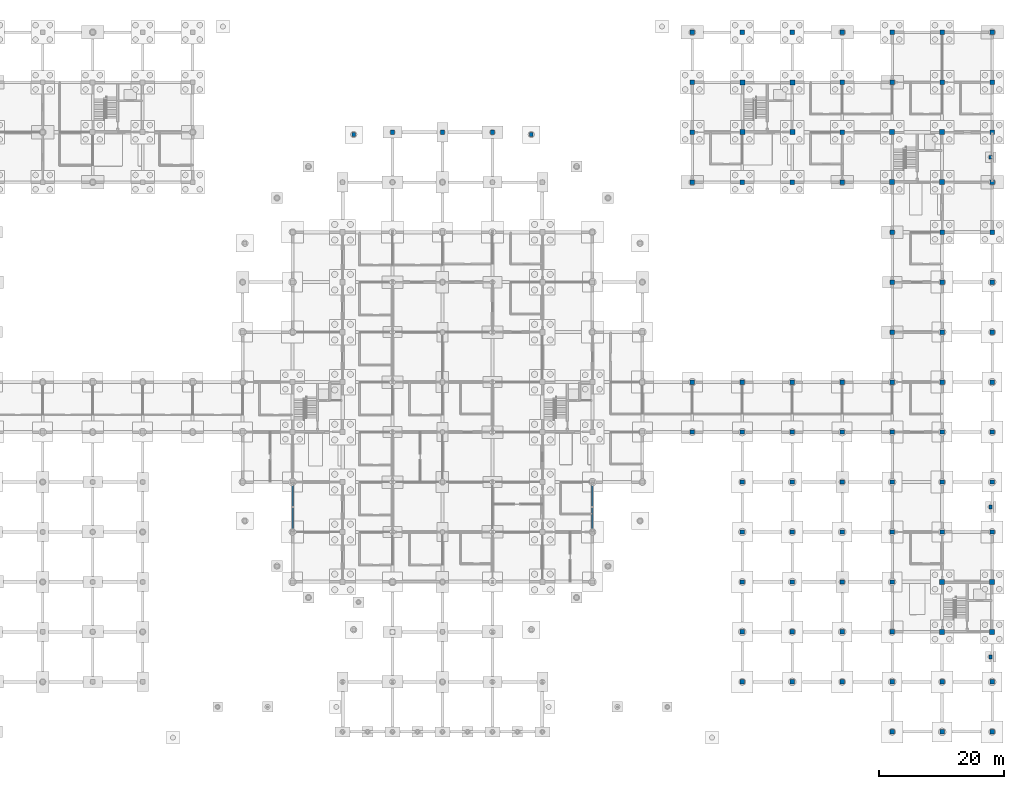
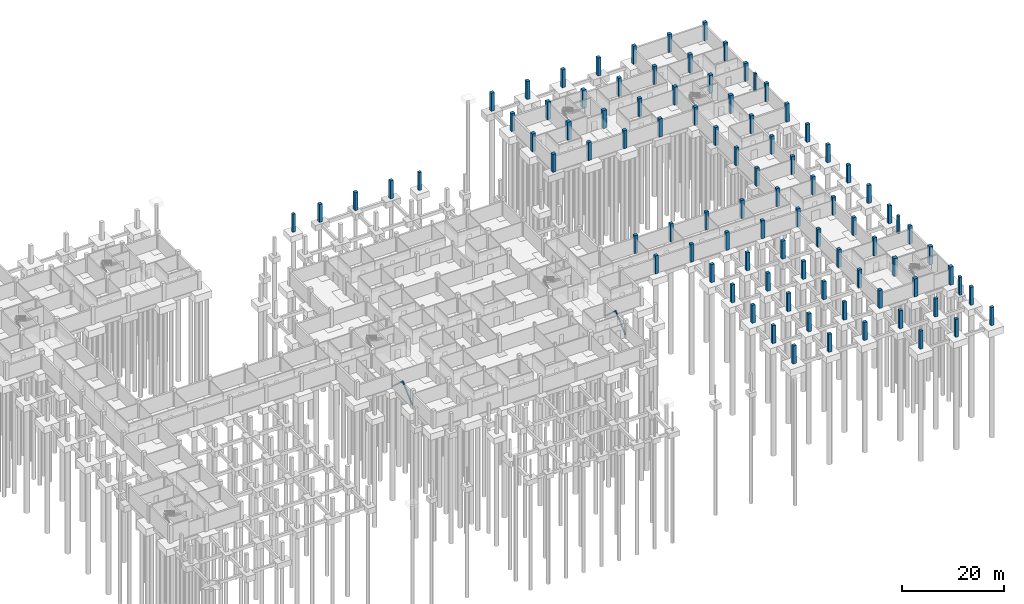
# One storey, part 21 of 48: 92 columns, 4 members.
"""IFC4 building model written with IfcOpenShell, lengths in metres."""

from ifc_helpers import new_model, si_unit, derived_unit, direction, frame, origin, origin_2d, place, context, subcontext, project, spatial, rectangle, hollow_rectangle, extrude, material, material_profile, profile_set, type_object, element, save


model = new_model("IFC4")

# Units and contexts
model_context = context("Model", 3, precision=1e-05, world=origin(), true_north=direction((0.0, 1.0)))
body_context = subcontext(model_context, "Body", "Model", "MODEL_VIEW")
ifc_project = project(units=[si_unit("LENGTHUNIT", "METRE"), si_unit("AREAUNIT", "SQUARE_METRE"), si_unit("VOLUMEUNIT", "CUBIC_METRE"), si_unit("PLANEANGLEUNIT", "RADIAN"), si_unit("MASSUNIT", "GRAM", prefix="KILO"), derived_unit("THERMALTRANSMITTANCEUNIT", [(si_unit("MASSUNIT", "GRAM", prefix="KILO"), 1), (si_unit("TIMEUNIT", "SECOND"), -3), (si_unit("THERMODYNAMICTEMPERATUREUNIT", "KELVIN"), -1)])], contexts=[model_context])

# Site, building, storey
site_placement = place(None, origin())
site = spatial("IfcSite", under=ifc_project, at=site_placement, CompositionType="ELEMENT")
building_placement = place(site_placement, origin())
building = spatial("IfcBuilding", under=site, at=building_placement, Name="Veyamyaing Civic Hall", CompositionType="ELEMENT")
storey_placement = place(building_placement, frame((0.0, 0.0, -4.2900390625)))
storey = spatial("IfcBuildingStorey", under=building, at=storey_placement, Name="B1", CompositionType="ELEMENT", Elevation=-4.2900390625)

# Columns
ifc_material_1 = material(Name="Concrete C45/55", Category="concrete")
ifc_material_profile_1 = material_profile(ifc_material_1, rectangle(XDim=0.800048828125, YDim=0.800048828125, at=origin_2d()), Name="RC-COL-800X800")
ifc_profile_set_1 = profile_set([ifc_material_profile_1], Name="Concrete C45/55")
column_type_1 = type_object("IfcColumnType", Name="C-02", PredefinedType="COLUMN", material=ifc_profile_set_1)
for number, where, z_axis, x_axis, name in (
    (1, (136.0, 96.0, 0.0), (0.0, 0.0, 1.0), (1.0, 0.0, 0.0), "Column C-02 18-N B1"),
    (2, (136.0, 104.0, 0.0), (0.0, 0.0, 1.0), (1.0, 0.0, 0.0), "Column C-02 18-P B1"),
    (3, (144.0, 96.0, 0.0), (0.0, 0.0, 1.0), (1.0, 0.0, 0.0), "Column C-02 19-N B1"),
    (4, (144.0, 104.0, 0.0), (0.0, 0.0, 1.0), (1.0, 0.0, 0.0), "Column C-02 19-P B1"),
    (5, (160.0, 88.0, 0.0), (0.0, 0.0, 1.0), (1.0, 0.0, 0.0), "Column C-02 21-M B1"),
    (6, (160.0, 96.0, 0.0), (0.0, 0.0, 1.0), (1.0, 0.0, 0.0), "Column C-02 21-N B1"),
    (7, (168.0, 16.0, 0.0), (0.0, 0.0, 1.0), (1.0, 0.0, 0.0), "Column C-02 22-C B1"),
    (8, (168.0, 24.0, 0.0), (0.0, 0.0, 1.0), (1.0, 0.0, 0.0), "Column C-02 22-D B1"),
    (9, (168.0, 88.0, 0.0), (0.0, 0.0, 1.0), (1.0, 0.0, 0.0), "Column C-02 22-M B1"),
    (10, (168.0, 96.0, 0.0), (0.0, 0.0, 1.0), (1.0, 0.0, 0.0), "Column C-02 22-N B1"),
    (11, (176.0, 16.0, 0.0), (0.0, 0.0, 1.0), (1.0, 0.0, 0.0), "Column C-02 23-C B1"),
    (12, (176.0, 24.0, 0.0), (0.0, 0.0, 1.0), (1.0, 0.0, 0.0), "Column C-02 23-D B1"),
):
    element("IfcColumn", number, at=place(storey_placement, frame(where, z_axis=z_axis, x_axis=x_axis)), inside=storey, type_object=column_type_1, Name=name, PredefinedType="COLUMN", context=body_context, shape_type="SweptSolid", body=[
        extrude(rectangle(XDim=0.800048828125, YDim=0.800048828125, at=origin_2d()), origin(), (0.0, 0.0, 1.0), 4.2900390625),
    ])
ifc_material_profile_2 = material_profile(ifc_material_1, rectangle(XDim=0.75, YDim=0.75, at=origin_2d()), Name="RC-COL-750X750")
ifc_profile_set_2 = profile_set([ifc_material_profile_2], Name="Concrete C45/55")
column_type_2 = type_object("IfcColumnType", Name="C-03", PredefinedType="COLUMN", material=ifc_profile_set_2)
for number, where, z_axis, x_axis, name in (
    (13, (128.0, 88.0, 0.0), (0.0, 0.0, 1.0), (1.0, 0.0, 0.0), "Column C-03 17-M B1"),
    (14, (128.0, 96.0, 0.0), (0.0, 0.0, 1.0), (1.0, 0.0, 0.0), "Column C-03 17-N B1"),
    (15, (128.0, 104.0, 0.0), (0.0, 0.0, 1.0), (1.0, 0.0, 0.0), "Column C-03 17-P B1"),
    (16, (128.0, 112.0, 0.0), (0.0, 0.0, 1.0), (1.0, 0.0, 0.0), "Column C-03 17-Q B1"),
    (17, (136.0, 88.0, 0.0), (0.0, 0.0, 1.0), (1.0, 0.0, 0.0), "Column C-03 18-M B1"),
    (18, (136.0, 112.0, 0.0), (0.0, 0.0, 1.0), (1.0, 0.0, 0.0), "Column C-03 18-Q B1"),
    (19, (144.0, 88.0, 0.0), (0.0, 0.0, 1.0), (1.0, 0.0, 0.0), "Column C-03 19-M B1"),
    (20, (144.0, 112.0, 0.0), (0.0, 0.0, 1.0), (1.0, 0.0, 0.0), "Column C-03 19-Q B1"),
    (21, (152.0, 88.0, 0.0), (0.0, 0.0, 1.0), (1.0, 0.0, 0.0), "Column C-03 20-M B1"),
    (22, (152.0, 96.0, 0.0), (0.0, 0.0, 1.0), (1.0, 0.0, 0.0), "Column C-03 20-N B1"),
    (23, (152.0, 104.0, 0.0), (0.0, 0.0, 1.0), (1.0, 0.0, 0.0), "Column C-03 20-P B1"),
    (24, (152.0, 112.0, 0.0), (0.0, 0.0, 1.0), (1.0, 0.0, 0.0), "Column C-03 20-Q B1"),
    (25, (160.0, 104.0, 0.0), (0.0, 0.0, 1.0), (1.0, 0.0, 0.0), "Column C-03 21-P B1"),
    (26, (160.0, 112.0, 0.0), (0.0, 0.0, 1.0), (1.0, 0.0, 0.0), "Column C-03 21-Q B1"),
    (27, (168.0, 80.0, 0.0), (0.0, 0.0, 1.0), (1.0, 0.0, 0.0), "Column C-03 22-L B1"),
    (28, (168.0, 104.0, 0.0), (0.0, 0.0, 1.0), (1.0, 0.0, 0.0), "Column C-03 22-P B1"),
    (29, (168.0, 112.0, 0.0), (0.0, 0.0, 1.0), (1.0, 0.0, 0.0), "Column C-03 22-Q B1"),
    (30, (176.0, 80.0, 0.0), (0.0, 0.0, 1.0), (1.0, 0.0, 0.0), "Column C-03 23-L B1"),
    (31, (176.0, 88.0, 0.0), (0.0, 0.0, 1.0), (1.0, 0.0, 0.0), "Column C-03 23-M B1"),
    (32, (176.0, 96.0, 0.0), (0.0, 0.0, 1.0), (1.0, 0.0, 0.0), "Column C-03 23-N B1"),
    (33, (176.0, 104.0, 0.0), (0.0, 0.0, 1.0), (1.0, 0.0, 0.0), "Column C-03 23-P B1"),
    (34, (176.0, 112.0, 0.0), (0.0, 0.0, 1.0), (1.0, 0.0, 0.0), "Column C-03 23-Q B1"),
):
    element("IfcColumn", number, at=place(storey_placement, frame(where, z_axis=z_axis, x_axis=x_axis)), inside=storey, type_object=column_type_2, Name=name, PredefinedType="COLUMN", context=body_context, shape_type="SweptSolid", body=[
        extrude(rectangle(XDim=0.75, YDim=0.75, at=origin_2d()), origin(), (0.0, 0.0, 1.0), 4.2900390625),
    ])
ifc_material_profile_3 = material_profile(ifc_material_1, rectangle(XDim=0.699951171875, YDim=0.699951171875, at=origin_2d()), Name="RC-COL-700X700")
ifc_profile_set_3 = profile_set([ifc_material_profile_3], Name="Concrete C45/55")
column_type_3 = type_object("IfcColumnType", Name="C-04", PredefinedType="COLUMN", material=ifc_profile_set_3)
for number, where, z_axis, x_axis, name in (
    (35, (80.0, 96.0, 0.0), (0.0, 0.0, 1.0), (1.0, 0.0, 0.0), "Column C-04 11-N B1"),
    (36, (88.0, 96.0, 0.0), (0.0, 0.0, 1.0), (1.0, 0.0, 0.0), "Column C-04 12-N B1"),
    (37, (96.0, 96.0, 0.0), (0.0, 0.0, 1.0), (1.0, 0.0, 0.0), "Column C-04 13-N B1"),
    (38, (128.0, 48.0, 0.0), (0.0, 0.0, 1.0), (1.0, 0.0, 0.0), "Column C-04 17-G B1"),
    (39, (128.0, 56.0, 0.0), (0.0, 0.0, 1.0), (1.0, 0.0, 0.0), "Column C-04 17-H B1"),
    (40, (136.0, 8.0, 0.0), (0.0, 0.0, 1.0), (1.0, 0.0, 0.0), "Column C-04 18-B B1"),
    (41, (136.0, 16.0, 0.0), (0.0, 0.0, 1.0), (1.0, 0.0, 0.0), "Column C-04 18-C B1"),
    (42, (136.0, 24.0, 0.0), (0.0, 0.0, 1.0), (1.0, 0.0, 0.0), "Column C-04 18-D B1"),
    (43, (136.0, 32.0, 0.0), (0.0, 0.0, 1.0), (1.0, 0.0, 0.0), "Column C-04 18-E B1"),
    (44, (136.0, 40.0, 0.0), (0.0, 0.0, 1.0), (1.0, 0.0, 0.0), "Column C-04 18-F B1"),
    (45, (136.0, 48.0, 0.0), (0.0, 0.0, 1.0), (1.0, 0.0, 0.0), "Column C-04 18-G B1"),
    (46, (136.0, 56.0, 0.0), (0.0, 0.0, 1.0), (1.0, 0.0, 0.0), "Column C-04 18-H B1"),
    (47, (144.0, 8.0, 0.0), (0.0, 0.0, 1.0), (1.0, 0.0, 0.0), "Column C-04 19-B B1"),
    (48, (144.0, 16.0, 0.0), (0.0, 0.0, 1.0), (1.0, 0.0, 0.0), "Column C-04 19-C B1"),
    (49, (144.0, 24.0, 0.0), (0.0, 0.0, 1.0), (1.0, 0.0, 0.0), "Column C-04 19-D B1"),
    (50, (144.0, 32.0, 0.0), (0.0, 0.0, 1.0), (1.0, 0.0, 0.0), "Column C-04 19-E B1"),
    (51, (144.0, 40.0, 0.0), (0.0, 0.0, 1.0), (1.0, 0.0, 0.0), "Column C-04 19-F B1"),
    (52, (144.0, 48.0, 0.0), (0.0, 0.0, 1.0), (1.0, 0.0, 0.0), "Column C-04 19-G B1"),
    (53, (144.0, 56.0, 0.0), (0.0, 0.0, 1.0), (1.0, 0.0, 0.0), "Column C-04 19-H B1"),
    (54, (152.0, 8.0, 0.0), (0.0, 0.0, 1.0), (1.0, 0.0, 0.0), "Column C-04 20-B B1"),
    (55, (152.0, 16.0, 0.0), (0.0, 0.0, 1.0), (1.0, 0.0, 0.0), "Column C-04 20-C B1"),
    (56, (152.0, 24.0, 0.0), (0.0, 0.0, 1.0), (1.0, 0.0, 0.0), "Column C-04 20-D B1"),
    (57, (152.0, 32.0, 0.0), (0.0, 0.0, 1.0), (1.0, 0.0, 0.0), "Column C-04 20-E B1"),
    (58, (152.0, 40.0, 0.0), (0.0, 0.0, 1.0), (1.0, 0.0, 0.0), "Column C-04 20-F B1"),
    (59, (152.0, 48.0, 0.0), (0.0, 0.0, 1.0), (1.0, 0.0, 0.0), "Column C-04 20-G B1"),
    (60, (152.0, 56.0, 0.0), (0.0, 0.0, 1.0), (1.0, 0.0, 0.0), "Column C-04 20-H B1"),
    (61, (160.0, 0.0, 0.0), (0.0, 0.0, 1.0), (1.0, 0.0, 0.0), "Column C-04 21-A B1"),
    (62, (160.0, 8.0, 0.0), (0.0, 0.0, 1.0), (1.0, 0.0, 0.0), "Column C-04 21-B B1"),
    (63, (160.0, 16.0, 0.0), (0.0, 0.0, 1.0), (1.0, 0.0, 0.0), "Column C-04 21-C B1"),
    (64, (160.0, 24.0, 0.0), (0.0, 0.0, 1.0), (1.0, 0.0, 0.0), "Column C-04 21-D B1"),
    (65, (160.0, 32.0, 0.0), (0.0, 0.0, 1.0), (1.0, 0.0, 0.0), "Column C-04 21-E B1"),
    (66, (160.0, 40.0, 0.0), (0.0, 0.0, 1.0), (1.0, 0.0, 0.0), "Column C-04 21-F B1"),
    (67, (160.0, 48.0, 0.0), (0.0, 0.0, 1.0), (1.0, 0.0, 0.0), "Column C-04 21-G B1"),
    (68, (160.0, 56.0, 0.0), (0.0, 0.0, 1.0), (1.0, 0.0, 0.0), "Column C-04 21-H B1"),
    (69, (160.0, 64.0, 0.0), (0.0, 0.0, 1.0), (1.0, 0.0, 0.0), "Column C-04 21-J B1"),
    (70, (160.0, 72.0, 0.0), (0.0, 0.0, 1.0), (1.0, 0.0, 0.0), "Column C-04 21-K B1"),
    (71, (160.0, 80.0, 0.0), (0.0, 0.0, 1.0), (1.0, 0.0, 0.0), "Column C-04 21-L B1"),
    (72, (168.0, 0.0, 0.0), (0.0, 0.0, 1.0), (1.0, 0.0, 0.0), "Column C-04 22-A B1"),
    (73, (168.0, 8.0, 0.0), (0.0, 0.0, 1.0), (1.0, 0.0, 0.0), "Column C-04 22-B B1"),
    (74, (168.0, 32.0, 0.0), (0.0, 0.0, 1.0), (1.0, 0.0, 0.0), "Column C-04 22-E B1"),
    (75, (168.0, 40.0, 0.0), (0.0, 0.0, 1.0), (1.0, 0.0, 0.0), "Column C-04 22-F B1"),
    (76, (168.0, 48.0, 0.0), (0.0, 0.0, 1.0), (1.0, 0.0, 0.0), "Column C-04 22-G B1"),
    (77, (168.0, 56.0, 0.0), (0.0, 0.0, 1.0), (1.0, 0.0, 0.0), "Column C-04 22-H B1"),
    (78, (168.0, 64.0, 0.0), (0.0, 0.0, 1.0), (1.0, 0.0, 0.0), "Column C-04 22-J B1"),
    (79, (168.0, 72.0, 0.0), (0.0, 0.0, 1.0), (1.0, 0.0, 0.0), "Column C-04 22-K B1"),
    (80, (176.0, 0.0, 0.0), (0.0, 0.0, 1.0), (1.0, 0.0, 0.0), "Column C-04 23-A B1"),
    (81, (176.0, 8.0, 0.0), (0.0, 0.0, 1.0), (1.0, 0.0, 0.0), "Column C-04 23-B B1"),
    (82, (176.0, 32.0, 0.0), (0.0, 0.0, 1.0), (1.0, 0.0, 0.0), "Column C-04 23-E B1"),
    (83, (176.0, 40.0, 0.0), (0.0, 0.0, 1.0), (1.0, 0.0, 0.0), "Column C-04 23-F B1"),
    (84, (176.0, 48.0, 0.0), (0.0, 0.0, 1.0), (1.0, 0.0, 0.0), "Column C-04 23-G B1"),
    (85, (176.0, 56.0, 0.0), (0.0, 0.0, 1.0), (1.0, 0.0, 0.0), "Column C-04 23-H B1"),
    (86, (176.0, 64.0, 0.0), (0.0, 0.0, 1.0), (1.0, 0.0, 0.0), "Column C-04 23-J B1"),
    (87, (176.0, 72.0, 0.0), (0.0, 0.0, 1.0), (1.0, 0.0, 0.0), "Column C-04 23-K B1"),
):
    element("IfcColumn", number, at=place(storey_placement, frame(where, z_axis=z_axis, x_axis=x_axis)), inside=storey, type_object=column_type_3, Name=name, PredefinedType="COLUMN", context=body_context, shape_type="SweptSolid", body=[
        extrude(rectangle(XDim=0.699951171875, YDim=0.699951171875, at=origin_2d()), origin(), (0.0, 0.0, 1.0), 4.2900390625),
    ])
ifc_material_profile_4 = material_profile(ifc_material_1, rectangle(XDim=0.60009765625, YDim=0.60009765625, at=origin_2d()), Name="RC-COL-600X600")
ifc_profile_set_4 = profile_set([ifc_material_profile_4], Name="Concrete C45/55")
column_type_4 = type_object("IfcColumnType", Name="C-06", PredefinedType="COLUMN", material=ifc_profile_set_4)
for number, where, z_axis, x_axis, name in (
    (88, (102.220703125, 95.63623046875, 0.0), (0.0, 0.0, 1.0), (1.0, 0.0, 0.0), "Curved corner column C-06 ARC-NE-14 B1"),
    (89, (73.779296875, 95.63623046875, 0.0), (0.0, 0.0, 1.0), (1.0, 0.0, 0.0), "Curved corner column C-06 ARC-NW-00 B1"),
):
    element("IfcColumn", number, at=place(storey_placement, frame(where, z_axis=z_axis, x_axis=x_axis)), inside=storey, type_object=column_type_4, Name=name, PredefinedType="COLUMN", context=body_context, shape_type="SweptSolid", body=[
        extrude(rectangle(XDim=0.60009765625, YDim=0.60009765625, at=origin_2d()), origin(), (0.0, 0.0, 1.0), 4.2900390625),
    ])
ifc_material_profile_5 = material_profile(ifc_material_1, rectangle(XDim=0.5, YDim=0.64990234375, at=origin_2d()), Name="RC-PIL-500X650")
ifc_profile_set_5 = profile_set([ifc_material_profile_5], Name="Concrete C45/55")
column_type_5 = type_object("IfcColumnType", Name="C-12", PredefinedType="PILASTER", material=ifc_profile_set_5)
column_placement = place(storey_placement, frame((175.75, 12.0, 0.0), z_axis=(0.0, 0.0, 1.0), x_axis=(1.0, 0.0, 0.0)))
element("IfcColumn", 90, at=column_placement, inside=storey, type_object=column_type_5, Name="Arcade pilaster C-12 PIL-E-01 B1", PredefinedType="PILASTER", context=body_context, shape_type="SweptSolid", body=[
    extrude(rectangle(XDim=0.5, YDim=0.64990234375, at=origin_2d()), origin(), (0.0, 0.0, 1.0), 4.2900390625),
])
ifc_material_profile_6 = material_profile(ifc_material_1, rectangle(XDim=0.449951171875, YDim=0.60009765625, at=origin_2d()), Name="RC-PIL-450X600")
ifc_profile_set_6 = profile_set([ifc_material_profile_6], Name="Concrete C45/55")
column_type_6 = type_object("IfcColumnType", Name="C-13", PredefinedType="PILASTER", material=ifc_profile_set_6)
for number, where, z_axis, x_axis, name in (
    (91, (175.75, 36.0, 0.0), (0.0, 0.0, 1.0), (1.0, 0.0, 0.0), "Arcade pilaster C-13 PIL-E-04 B1"),
    (92, (175.75, 92.0, 0.0), (0.0, 0.0, 1.0), (1.0, 0.0, 0.0), "Arcade pilaster C-13 PIL-E-11 B1"),
):
    element("IfcColumn", number, at=place(storey_placement, frame(where, z_axis=z_axis, x_axis=x_axis)), inside=storey, type_object=column_type_6, Name=name, PredefinedType="PILASTER", context=body_context, shape_type="SweptSolid", body=[
        extrude(rectangle(XDim=0.449951171875, YDim=0.60009765625, at=origin_2d()), origin(), (0.0, 0.0, 1.0), 4.2900390625),
    ])

# Members
ifc_material_2 = material(Name="Steel S355J2", Category="steel")
ifc_material_profile_7 = material_profile(ifc_material_2, hollow_rectangle(XDim=0.25390625, YDim=0.25390625, WallThickness=0.0126953125, at=origin_2d()), Name="HSS254X254X12.7")
ifc_profile_set_7 = profile_set([ifc_material_profile_7], Name="Steel S355J2")
member_type = type_object("IfcMemberType", Name="BR-01", PredefinedType="BRACE", material=ifc_profile_set_7)
for number, where, z_axis, x_axis, name in (
    (93, (64.0, 32.219970703125, 0.400146484375), (0.0, 0.739594142904, 0.67305312107), (-1.0, 0.0, 0.0), "Seismic chevron brace BR-01 BF-CW B1.L"),
    (94, (64.0, 39.780029296875, 0.400146484375), (0.0, -0.739594142904, 0.67305312107), (1.0, 0.0, 0.0), "Seismic chevron brace BR-01 BF-CW B1.R"),
    (95, (112.0, 32.219970703125, 0.400146484375), (0.0, 0.739594142904, 0.67305312107), (-1.0, 0.0, 0.0), "Seismic chevron brace BR-01 BF-CE B1.L"),
    (96, (112.0, 39.780029296875, 0.400146484375), (0.0, -0.739594142904, 0.67305312107), (1.0, 0.0, 0.0), "Seismic chevron brace BR-01 BF-CE B1.R"),
):
    element("IfcMember", number, at=place(storey_placement, frame(where, z_axis=z_axis, x_axis=x_axis)), inside=storey, type_object=member_type, Name=name, PredefinedType="BRACE", context=body_context, shape_type="SweptSolid", body=[
        extrude(hollow_rectangle(XDim=0.25390625, YDim=0.25390625, WallThickness=0.0126953125, at=origin_2d()), origin(), (0.0, 0.0, 1.0), 5.11083984375),
    ])

save(model, "model.ifc")
